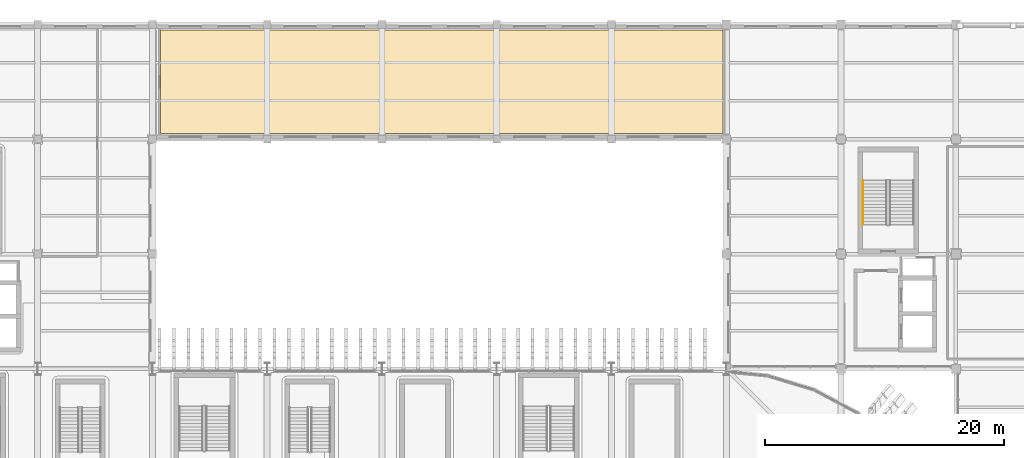
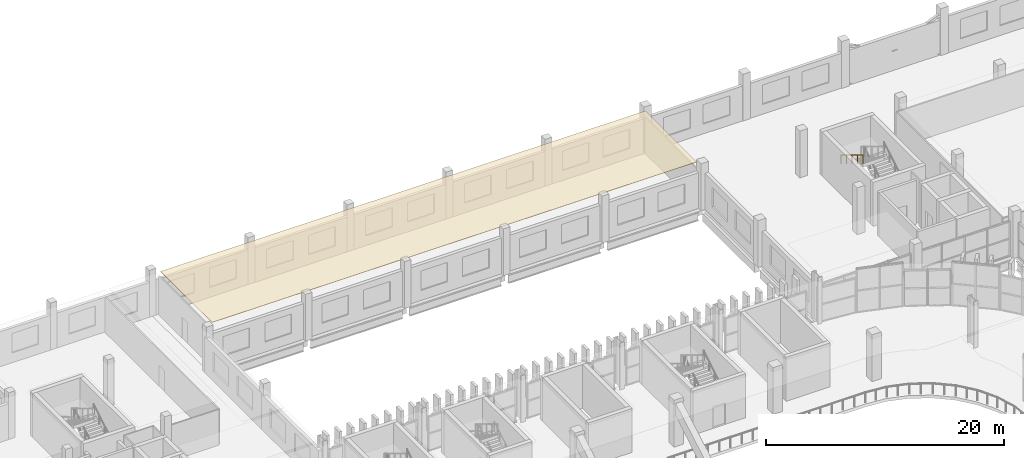
# One storey, part 99 of 100: 1 covering, 1 railing.
"""IFC4 building model written with IfcOpenShell, lengths in metres."""

from ifc_helpers import new_model, si_unit, direction, frame, origin, origin_2d, place, context, subcontext, project, spatial, polyline, circle, outline, extrude, material, layer, layer_set, type_object, element, save


model = new_model("IFC4")

# Units and contexts
model_context = context("Model", 3, precision=1e-05, world=origin(), true_north=direction((0.0, 1.0)))
body_context = subcontext(model_context, "Body", "Model", "MODEL_VIEW")
ifc_project = project(units=[si_unit("LENGTHUNIT", "METRE"), si_unit("AREAUNIT", "SQUARE_METRE"), si_unit("VOLUMEUNIT", "CUBIC_METRE"), si_unit("PLANEANGLEUNIT", "RADIAN"), si_unit("MASSUNIT", "GRAM", prefix="KILO")], contexts=[model_context])

# Site, building, storey
site_placement = place(None, origin())
site = spatial("IfcSite", under=ifc_project, at=site_placement, CompositionType="ELEMENT")
building_placement = place(site_placement, origin())
building = spatial("IfcBuilding", under=site, at=building_placement, Name="Caelomonte Colonnade Arena", CompositionType="ELEMENT")
storey_placement = place(building_placement, origin())
storey = spatial("IfcBuildingStorey", under=building, at=storey_placement, Name="L00", CompositionType="ELEMENT", Elevation=0.0)

# Covering
ifc_material_1 = material(Name="Perforated acoustic mineral-fibre ceiling")
ifc_layer = layer(ifc_material_1, 0.0400390625)
ifc_layer_set = layer_set([ifc_layer], Name="Perforated acoustic mineral-fibre ceiling")
covering_type = type_object("IfcCoveringType", Name="INT-CV-CEIL1", PredefinedType="CEILING", material=ifc_layer_set)
covering_placement = place(storey_placement, frame((0.0, 0.0, 4.419921875)))
element("IfcCovering", 1, at=covering_placement, inside=storey, type_object=covering_type, Name="L00 Civic Sports Exhibition Room acoustic ceiling", PredefinedType="CEILING", context=body_context, shape_type="SweptSolid", body=[
    extrude(outline(polyline([(143.719970703125, 143.52001953125), (96.679931640625, 143.52001953125), (96.679931640625, 134.8798828125), (143.719970703125, 134.8798828125), (143.719970703125, 143.52001953125)])), origin(), (0.0, 0.0, 1.0), 0.0400390625),
])

# Railing
ifc_material_2 = material(Name="Brushed stainless steel stair handrail", Category="steel")
railing_type = type_object("IfcRailingType", Name="INT-RL-HR", PredefinedType="HANDRAIL", material=ifc_material_2)
railing_placement = place(storey_placement, frame((155.449951171875, 130.955078125, 2.571533203125)))
element("IfcRailing", 2, at=railing_placement, inside=storey, type_object=railing_type, Name="L00 ST-06 stair handrail 2", PredefinedType="HANDRAIL", context=body_context, shape_type="SweptSolid", body=[
    extrude(circle(Radius=0.02392578125, at=origin_2d()), frame((0.0, 0.0, 0.8759765625), z_axis=(0.0, -0.856934400257, 0.515425487977), x_axis=(1.0, 0.0, 0.0)), (0.0, 0.0, 1.0), 4.32373046875),
    extrude(circle(Radius=0.02099609375, at=origin_2d()), origin(), (0.0, 0.0, 1.0), 0.847900390625),
    extrude(circle(Radius=0.02099609375, at=origin_2d()), frame((0.0, -0.92626953125, 0.55712890625)), (0.0, 0.0, 1.0), 0.847900390625),
    extrude(circle(Radius=0.02099609375, at=origin_2d()), frame((0.0, -1.8525390625, 1.1142578125)), (0.0, 0.0, 1.0), 0.847900390625),
    extrude(circle(Radius=0.02099609375, at=origin_2d()), frame((0.0, -2.77880859375, 1.67138671875)), (0.0, 0.0, 1.0), 0.847900390625),
    extrude(circle(Radius=0.02099609375, at=origin_2d()), frame((0.0, -3.705078125, 2.228515625)), (0.0, 0.0, 1.0), 0.847900390625),
])

save(model, "model.ifc")
